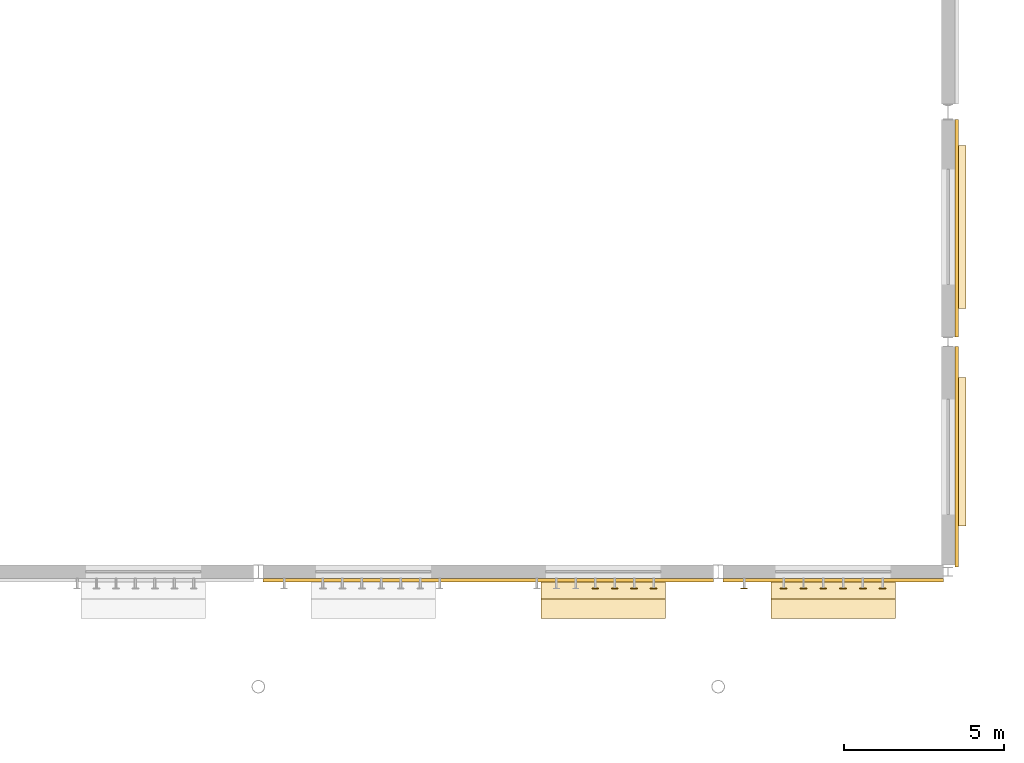
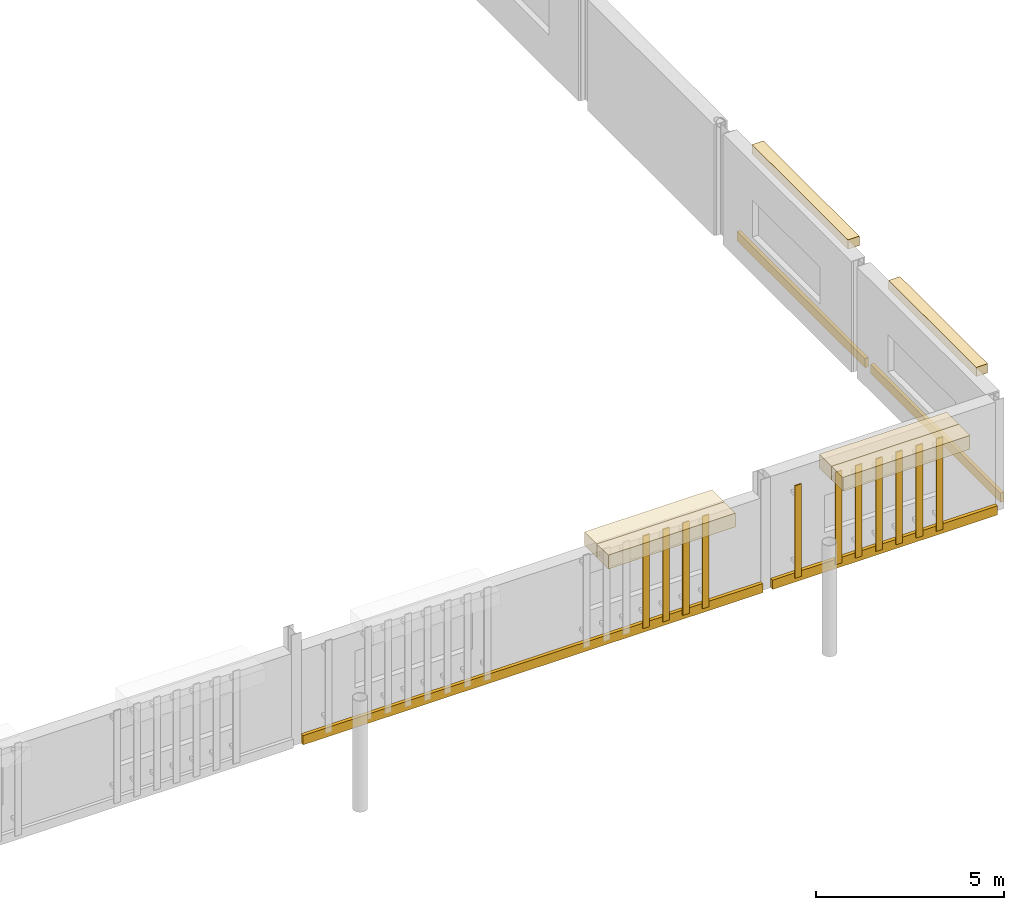
# One storey, part 115 of 124: 11 shading devices, 10 coverings.
"""IFC4 building model written with IfcOpenShell, lengths in metres."""

from ifc_helpers import new_model, si_unit, direction, frame, origin, origin_2d, place, context, subcontext, project, spatial, rectangle, extrude, material, layer, layer_set, type_object, element, save


model = new_model("IFC4")

# Units and contexts
model_context = context("Model", 3, precision=1e-05, world=origin(), true_north=direction((0.0, 1.0)))
body_context = subcontext(model_context, "Body", "Model", "MODEL_VIEW")
ifc_project = project(units=[si_unit("LENGTHUNIT", "METRE"), si_unit("AREAUNIT", "SQUARE_METRE"), si_unit("VOLUMEUNIT", "CUBIC_METRE"), si_unit("PLANEANGLEUNIT", "RADIAN"), si_unit("MASSUNIT", "GRAM", prefix="KILO")], contexts=[model_context])

# Site, building, storey
site_placement = place(None, origin())
site = spatial("IfcSite", under=ifc_project, at=site_placement, CompositionType="ELEMENT")
building_placement = place(site_placement, origin())
building = spatial("IfcBuilding", under=site, at=building_placement, Name="Kupolbacken Congress Centre", CompositionType="ELEMENT")
storey_placement = place(building_placement, frame((0.0, 0.0, 10.800048828125)))
storey = spatial("IfcBuildingStorey", under=building, at=storey_placement, Name="L03", CompositionType="ELEMENT", Elevation=10.800048828125)

# Coverings
ifc_material_1 = material(Name="Brick cladding", Category="masonry")
ifc_layer_1 = layer(ifc_material_1, 0.10791015625)
ifc_layer_set_1 = layer_set([ifc_layer_1], Name="Brick cladding")
covering_type_1 = type_object("IfcCoveringType", Name="CV2 brick cladding band 108", PredefinedType="CLADDING", material=ifc_layer_set_1)
covering_1_placement = place(storey_placement, frame((201.864013671875, 46.800048828125, 0.0), z_axis=(0.0, 0.0, 1.0), x_axis=(0.0, 1.0, 0.0)))
element("IfcCovering", 1, at=covering_1_placement, inside=storey, type_object=covering_type_1, Name="E/H/E/L03/343/band", PredefinedType="CLADDING", context=body_context, shape_type="SweptSolid", body=[
    extrude(rectangle(XDim=6.909912109375, YDim=0.10791015625, at=origin_2d()), origin(), (0.0, 0.0, 1.0), 0.300048828125),
])
covering_2_placement = place(storey_placement, frame((201.864013671875, 53.949951171875, 0.0), z_axis=(0.0, 0.0, 1.0), x_axis=(0.0, 1.0, 0.0)))
element("IfcCovering", 2, at=covering_2_placement, inside=storey, type_object=covering_type_1, Name="E/H/E/L03/344/band", PredefinedType="CLADDING", context=body_context, shape_type="SweptSolid", body=[
    extrude(rectangle(XDim=6.81005859375, YDim=0.10791015625, at=origin_2d()), origin(), (0.0, 0.0, 1.0), 0.300048828125),
])
covering_3_placement = place(storey_placement, frame((187.199951171875, 42.93603515625, 0.0), z_axis=(0.0, 0.0, 1.0), x_axis=(1.0, 0.0, 0.0)))
element("IfcCovering", 3, at=covering_3_placement, inside=storey, type_object=covering_type_1, Name="E/H/S/L03/369/band", PredefinedType="CLADDING", context=body_context, shape_type="SweptSolid", body=[
    extrude(rectangle(XDim=14.10009765625, YDim=0.10791015625, at=origin_2d()), origin(), (0.0, 0.0, 1.0), 0.300048828125),
])
covering_4_placement = place(storey_placement, frame((198.0, 42.93603515625, 0.0), z_axis=(0.0, 0.0, 1.0), x_axis=(1.0, 0.0, 0.0)))
element("IfcCovering", 4, at=covering_4_placement, inside=storey, type_object=covering_type_1, Name="E/H/S/L03/370/band", PredefinedType="CLADDING", context=body_context, shape_type="SweptSolid", body=[
    extrude(rectangle(XDim=6.89990234375, YDim=0.10791015625, at=origin_2d()), origin(), (0.0, 0.0, 1.0), 0.300048828125),
])
ifc_material_2 = material(Name="Limestone cladding", Category="masonry")
ifc_layer_2 = layer(ifc_material_2, 0.35009765625)
ifc_layer_set_2 = layer_set([ifc_layer_2], Name="Limestone cladding")
covering_type_2 = type_object("IfcCoveringType", Name="CV3 limestone pilaster strip 350", PredefinedType="CLADDING", material=ifc_layer_set_2)
covering_5_placement = place(storey_placement, frame((201.985107421875, 46.9599609375, 3.2998046875), z_axis=(0.0, 0.0, 1.0), x_axis=(0.0, 1.0, 0.0)))
element("IfcCovering", 5, at=covering_5_placement, inside=storey, type_object=covering_type_2, Name="F/HR/H/E/string/14.4/00/1", PredefinedType="CLADDING", context=body_context, shape_type="SweptSolid", body=[
    extrude(rectangle(XDim=4.659912109375, YDim=0.35009765625, at=origin_2d()), origin(), (0.0, 0.0, 1.0), 0.300048828125),
])
covering_6_placement = place(storey_placement, frame((201.985107421875, 54.0, 3.2998046875), z_axis=(0.0, 0.0, 1.0), x_axis=(0.0, 1.0, 0.0)))
element("IfcCovering", 6, at=covering_6_placement, inside=storey, type_object=covering_type_2, Name="F/HR/H/E/string/14.4/01/1", PredefinedType="CLADDING", context=body_context, shape_type="SweptSolid", body=[
    extrude(rectangle(XDim=5.10009765625, YDim=0.35009765625, at=origin_2d()), origin(), (0.0, 0.0, 1.0), 0.300048828125),
])
ifc_material_3 = material(Name="Limestone cladding", Category="masonry")
ifc_layer_3 = layer(ifc_material_3, 0.60009765625)
ifc_layer_set_3 = layer_set([ifc_layer_3], Name="Limestone cladding")
covering_type_3 = type_object("IfcCoveringType", Name="CV5 limestone arcade pier 600", PredefinedType="CLADDING", material=ifc_layer_set_3)
covering_7_placement = place(storey_placement, frame((190.800048828125, 42.6650390625, 3.35009765625), z_axis=(0.0, 0.0, 1.0), x_axis=(1.0, 0.0, 0.0)))
element("IfcCovering", 7, at=covering_7_placement, inside=storey, type_object=covering_type_3, Name="F/HR/H/S/fin/14/1/a", PredefinedType="CLADDING", context=body_context, shape_type="SweptSolid", body=[
    extrude(rectangle(XDim=3.89990234375, YDim=0.64990234375, at=origin_2d()), origin(), (0.0, 0.0, 1.0), 0.449951171875),
])
covering_8_placement = place(storey_placement, frame((190.800048828125, 42.0400390625, 3.35009765625), z_axis=(0.0, 0.0, 1.0), x_axis=(1.0, 0.0, 0.0)))
element("IfcCovering", 8, at=covering_8_placement, inside=storey, type_object=covering_type_3, Name="F/HR/H/S/fin/14/1/b", PredefinedType="CLADDING", context=body_context, shape_type="SweptSolid", body=[
    extrude(rectangle(XDim=3.89990234375, YDim=0.60009765625, at=origin_2d()), origin(), (0.0, 0.0, 1.0), 0.449951171875),
])
covering_9_placement = place(storey_placement, frame((198.0, 42.6650390625, 3.35009765625), z_axis=(0.0, 0.0, 1.0), x_axis=(1.0, 0.0, 0.0)))
element("IfcCovering", 9, at=covering_9_placement, inside=storey, type_object=covering_type_3, Name="F/HR/H/S/fin/15/1/a", PredefinedType="CLADDING", context=body_context, shape_type="SweptSolid", body=[
    extrude(rectangle(XDim=3.89990234375, YDim=0.64990234375, at=origin_2d()), origin(), (0.0, 0.0, 1.0), 0.449951171875),
])
covering_10_placement = place(storey_placement, frame((198.0, 42.0400390625, 3.35009765625), z_axis=(0.0, 0.0, 1.0), x_axis=(1.0, 0.0, 0.0)))
element("IfcCovering", 10, at=covering_10_placement, inside=storey, type_object=covering_type_3, Name="F/HR/H/S/fin/15/1/b", PredefinedType="CLADDING", context=body_context, shape_type="SweptSolid", body=[
    extrude(rectangle(XDim=3.89990234375, YDim=0.60009765625, at=origin_2d()), origin(), (0.0, 0.0, 1.0), 0.449951171875),
])

# Shading devices
ifc_material_4 = material(Name="Aluminium alloy louvre", Category="aluminium")
ifc_layer_4 = layer(ifc_material_4, 0.030029296875)
ifc_layer_set_4 = layer_set([ifc_layer_4], Name="Aluminium alloy louvre")
shading_device_type = type_object("IfcShadingDeviceType", Name="SC1 louvre blade 30 x 200", PredefinedType="JALOUSIE", material=ifc_layer_set_4)
for number, where, z_axis, x_axis, name in (
    (11, (190.550048828125, 42.675048828125, 0.300048828125), (0.0, 0.0, 1.0), (1.0, 0.0, 0.0), "E/brise/S/L03/369/B17"),
    (12, (191.1591796875, 42.675048828125, 0.300048828125), (0.0, 0.0, 1.0), (1.0, 0.0, 0.0), "E/brise/S/L03/369/B18"),
    (13, (191.76806640625, 42.675048828125, 0.300048828125), (0.0, 0.0, 1.0), (1.0, 0.0, 0.0), "E/brise/S/L03/369/B19"),
    (14, (192.377197265625, 42.675048828125, 0.300048828125), (0.0, 0.0, 1.0), (1.0, 0.0, 0.0), "E/brise/S/L03/369/B20"),
    (15, (195.2099609375, 42.675048828125, 0.300048828125), (0.0, 0.0, 1.0), (1.0, 0.0, 0.0), "E/brise/S/L03/370/B01"),
    (16, (196.449951171875, 42.675048828125, 0.300048828125), (0.0, 0.0, 1.0), (1.0, 0.0, 0.0), "E/brise/S/L03/370/B03"),
    (17, (197.070068359375, 42.675048828125, 0.300048828125), (0.0, 0.0, 1.0), (1.0, 0.0, 0.0), "E/brise/S/L03/370/B04"),
    (18, (197.68994140625, 42.675048828125, 0.300048828125), (0.0, 0.0, 1.0), (1.0, 0.0, 0.0), "E/brise/S/L03/370/B05"),
    (19, (198.31005859375, 42.675048828125, 0.300048828125), (0.0, 0.0, 1.0), (1.0, 0.0, 0.0), "E/brise/S/L03/370/B06"),
    (20, (198.929931640625, 42.675048828125, 0.300048828125), (0.0, 0.0, 1.0), (1.0, 0.0, 0.0), "E/brise/S/L03/370/B07"),
    (21, (199.550048828125, 42.675048828125, 0.300048828125), (0.0, 0.0, 1.0), (1.0, 0.0, 0.0), "E/brise/S/L03/370/B08"),
):
    element("IfcShadingDevice", number, at=place(storey_placement, frame(where, z_axis=z_axis, x_axis=x_axis)), inside=storey, type_object=shading_device_type, Name=name, PredefinedType="JALOUSIE", context=body_context, shape_type="SweptSolid", body=[
        extrude(rectangle(XDim=0.199951171875, YDim=0.030029296875, at=origin_2d()), origin(), (0.0, 0.0, 1.0), 3.0),
    ])

save(model, "model.ifc")
